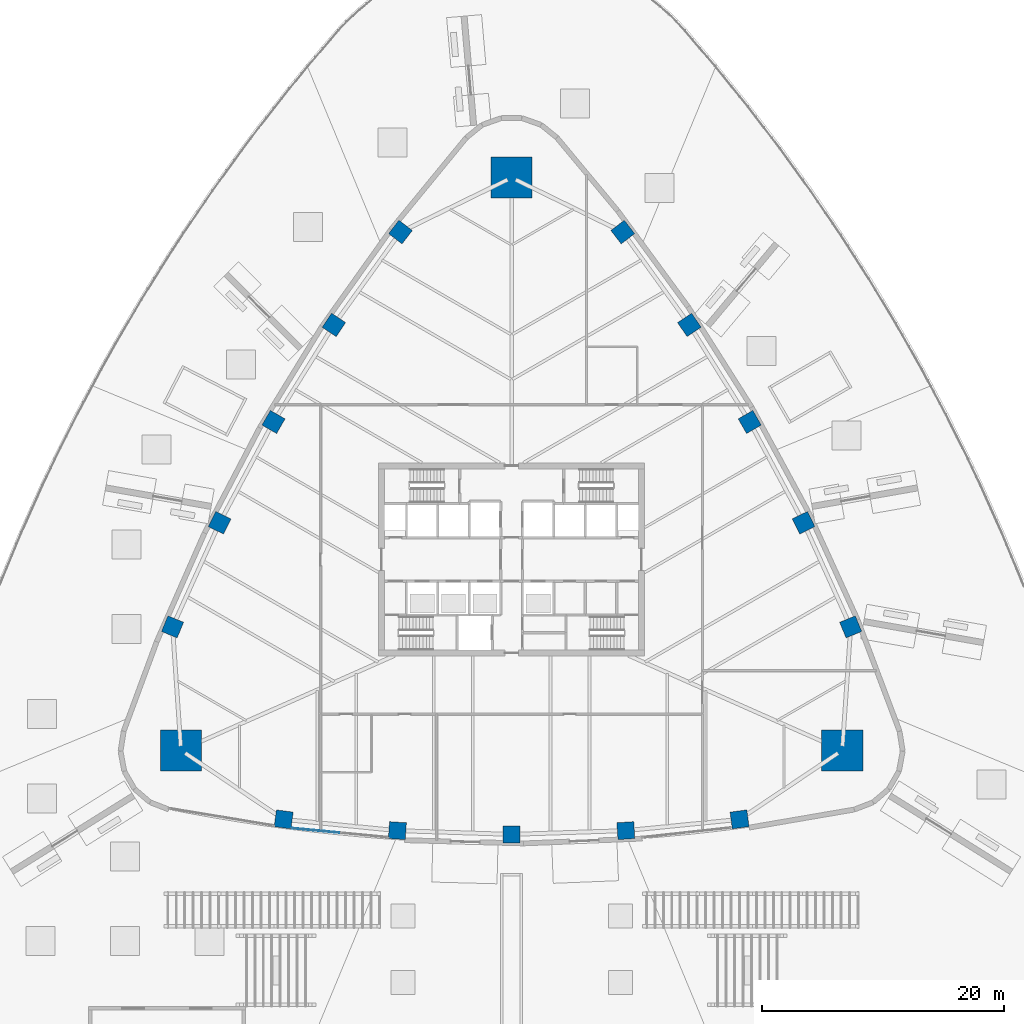
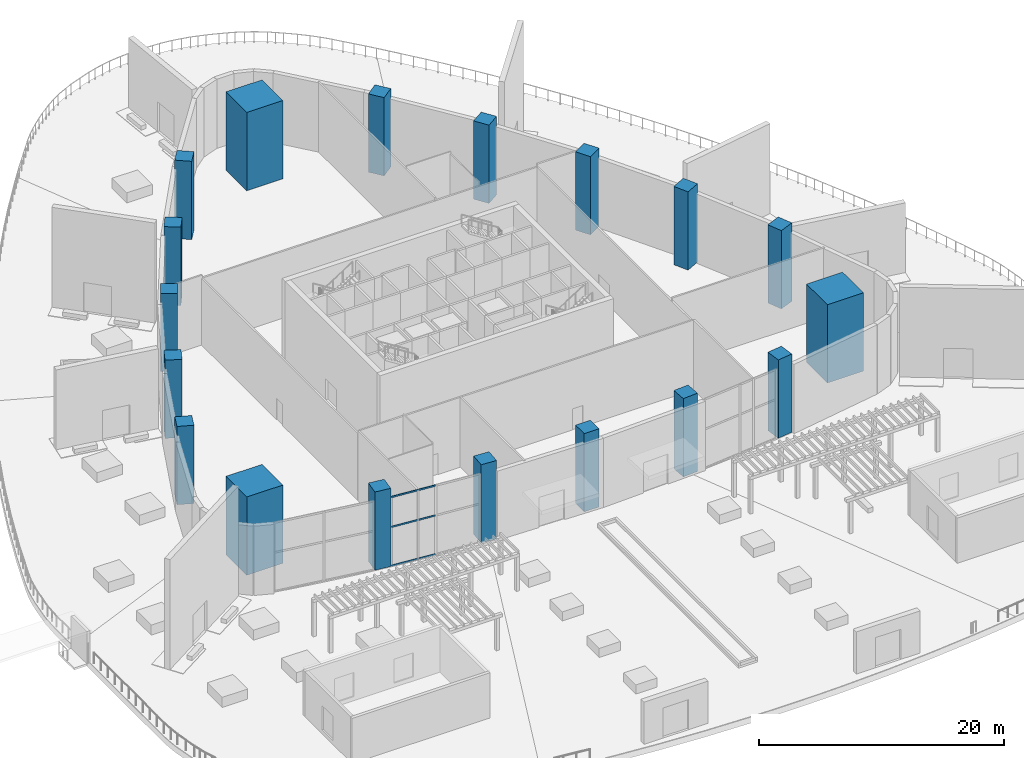
# One storey, part 1 of 20: 18 columns, 3 members, 1 element without a shape of its own.
"""IFC4 building model written with IfcOpenShell, lengths in metres."""

from ifc_helpers import new_model, si_unit, direction, frame, origin, origin_2d, place, context, subcontext, project, spatial, rectangle, extrude, material, layer, layer_set, material_profile, profile_set, type_object, element, aggregate, save


model = new_model("IFC4")

# Units and contexts
model_context = context("Model", 3, precision=1e-05, world=origin(), true_north=direction((0.0, 1.0)))
body_context = subcontext(model_context, "Body", "Model", "MODEL_VIEW")
ifc_project = project(units=[si_unit("LENGTHUNIT", "METRE"), si_unit("AREAUNIT", "SQUARE_METRE"), si_unit("VOLUMEUNIT", "CUBIC_METRE"), si_unit("PLANEANGLEUNIT", "RADIAN"), si_unit("MASSUNIT", "GRAM", prefix="KILO")], contexts=[model_context])

# Site, building, storey
site_placement = place(None, origin())
site = spatial("IfcSite", under=ifc_project, at=site_placement, CompositionType="ELEMENT")
building_placement = place(site_placement, origin())
building = spatial("IfcBuilding", under=site, at=building_placement, Name="Sierra Prisma Convention Tower", CompositionType="ELEMENT")
storey_placement = place(building_placement, frame((0.0, 0.0, 9.0)))
storey = spatial("IfcBuildingStorey", under=building, at=storey_placement, Name="L01", CompositionType="ELEMENT", Elevation=9.0)

# Columns
ifc_material_1 = material(Name="Concrete C70/85", Category="concrete")
ifc_material_profile_1 = material_profile(ifc_material_1, rectangle(XDim=3.39990234375, YDim=3.39990234375, at=origin_2d()), Name="Mega column RC 3400 C70/85")
ifc_profile_set_1 = profile_set([ifc_material_profile_1], Name="Concrete C70/85")
column_type_1 = type_object("IfcColumnType", Name="Mega column RC 3400 C70/85", PredefinedType="COLUMN", material=ifc_profile_set_1)
for number, where, z_axis, x_axis, name in (
    (1, (27.35498046875, -15.79345703125, 0.0), (0.0, 0.0, 1.0), (1.0, 0.0, 0.0), "Mega column SE L01"),
    (2, (0.0, 31.5869140625, 0.0), (0.0, 0.0, 1.0), (1.0, 0.0, 0.0), "Mega column N L01"),
    (3, (-27.35498046875, -15.79345703125, 0.0), (0.0, 0.0, 1.0), (1.0, 0.0, 0.0), "Mega column SW L01"),
):
    element("IfcColumn", number, at=place(storey_placement, frame(where, z_axis=z_axis, x_axis=x_axis)), inside=storey, type_object=column_type_1, Name=name, PredefinedType="COLUMN", context=body_context, shape_type="SweptSolid", body=[
        extrude(rectangle(XDim=3.39990234375, YDim=3.39990234375, at=origin_2d()), origin(), (0.0, 0.0, 1.0), 7.800048828125),
    ])
ifc_material_2 = material(Name="Concrete C70/85", Category="concrete")
ifc_material_profile_2 = material_profile(ifc_material_2, rectangle(XDim=1.39990234375, YDim=1.39990234375, at=origin_2d()), Name="Perimeter column RC 1400 C70/85")
ifc_profile_set_2 = profile_set([ifc_material_profile_2], Name="Concrete C70/85")
column_type_2 = type_object("IfcColumnType", Name="Perimeter column RC 1400 C70/85", PredefinedType="COLUMN", material=ifc_profile_set_2)
for number, where, z_axis, x_axis, name in (
    (4, (-18.85986328125, -21.50830078125, 0.0), (0.0, 0.0, 1.0), (-0.991367231014, 0.131114504428, 0.0), "Perimeter column S-1 L01"),
    (5, (-9.450439453125, -22.439208984375, 0.0), (0.0, 0.0, 1.0), (-0.997839473817, 0.06569919705, 0.0), "Perimeter column S-2 L01"),
    (6, (0.0, -22.75, 0.0), (0.0, 0.0, 1.0), (1.0, 0.0, 0.0), "Perimeter column S-3 L01"),
    (7, (9.450439453125, -22.439208984375, 0.0), (0.0, 0.0, 1.0), (0.997839473817, 0.06569919705, 0.0), "Perimeter column S-4 L01"),
    (8, (18.85986328125, -21.50830078125, 0.0), (0.0, 0.0, 1.0), (0.991367231014, 0.131114504428, 0.0), "Perimeter column S-5 L01"),
    (9, (28.056640625, -5.5791015625, 0.0), (0.0, 0.0, 1.0), (-0.382135123868, 0.924106458752, 0.0), "Perimeter column NE-1 L01"),
    (10, (24.158203125, 3.035400390625, 0.0), (0.0, 0.0, 1.0), (-0.442022563255, 0.897003931749, 0.0), "Perimeter column NE-2 L01"),
    (11, (19.7021484375, 11.375, 0.0), (0.0, 0.0, 1.0), (-0.5, 0.866025403784, 0.0), "Perimeter column NE-3 L01"),
    (12, (14.707763671875, 19.40380859375, 0.0), (0.0, 0.0, 1.0), (-0.555816910562, 0.8313047347, 0.0), "Perimeter column NE-4 L01"),
    (13, (9.19677734375, 27.08740234375, 0.0), (0.0, 0.0, 1.0), (-0.609232107146, 0.792991954324, 0.0), "Perimeter column NE-5 L01"),
    (14, (-9.19677734375, 27.08740234375, 0.0), (0.0, 0.0, 1.0), (0.609232107146, 0.792991954324, 0.0), "Perimeter column NW-1 L01"),
    (15, (-14.707763671875, 19.40380859375, 0.0), (0.0, 0.0, 1.0), (0.555816910562, 0.8313047347, 0.0), "Perimeter column NW-2 L01"),
    (16, (-19.7021484375, 11.375, 0.0), (0.0, 0.0, 1.0), (0.5, 0.866025403784, 0.0), "Perimeter column NW-3 L01"),
    (17, (-24.158203125, 3.035400390625, 0.0), (0.0, 0.0, 1.0), (0.442022563255, 0.897003931749, 0.0), "Perimeter column NW-4 L01"),
    (18, (-28.056640625, -5.5791015625, 0.0), (0.0, 0.0, 1.0), (0.382135123868, 0.924106458752, 0.0), "Perimeter column NW-5 L01"),
):
    element("IfcColumn", number, at=place(storey_placement, frame(where, z_axis=z_axis, x_axis=x_axis)), inside=storey, type_object=column_type_2, Name=name, PredefinedType="COLUMN", context=body_context, shape_type="SweptSolid", body=[
        extrude(rectangle(XDim=1.39990234375, YDim=1.39990234375, at=origin_2d()), origin(), (0.0, 0.0, 1.0), 7.800048828125),
    ])

# Curtain wall, members
ifc_material_3 = material(Name="Aluminium, bronze anodised", Category="aluminium")
ifc_layer = layer(ifc_material_3, 0.199951171875)
ifc_layer_set = layer_set([ifc_layer], Name="CW-3 curtain wall")
curtain_wall_type = type_object("IfcCurtainWallType", Name="CW-3 curtain wall", PredefinedType="NOTDEFINED", material=ifc_layer_set)
curtain_wall_placement = place(storey_placement, origin())
curtain_wall = element("IfcCurtainWall", 19, at=curtain_wall_placement, inside=storey, type_object=curtain_wall_type, Name="CW-3 curtain wall", PredefinedType="NOTDEFINED")
ifc_material_4 = material(Name="Aluminium, bronze anodised", Category="aluminium")
ifc_material_profile_3 = material_profile(ifc_material_4, rectangle(XDim=0.06005859375, YDim=0.159912109375, at=origin_2d()), Name="CW-3 transom 60 x 160")
ifc_profile_set_3 = profile_set([ifc_material_profile_3], Name="Aluminium, bronze anodised")
member_type = type_object("IfcMemberType", Name="CW-3 transom 60 x 160", PredefinedType="USERDEFINED", material=ifc_profile_set_3)
member_1_placement = place(storey_placement, frame((-14.24755859375, -22.61279296875, 0.030029296875), z_axis=(-0.995474259601, 0.09503156566, 0.0), x_axis=(-0.09503156566, -0.995474259601, 0.0)))
member_1 = element("IfcMember", 20, at=member_1_placement, type_object=member_type, Name="CW-3 transom 2.1", ObjectType="TRANSOM", PredefinedType="USERDEFINED", context=body_context, shape_type="SweptSolid", body=[
    extrude(rectangle(XDim=0.06005859375, YDim=0.159912109375, at=origin_2d()), origin(), (0.0, 0.0, 1.0), 3.935791015625),
])
member_2_placement = place(storey_placement, frame((-14.24755859375, -22.61279296875, 3.89990234375), z_axis=(-0.995474259601, 0.09503156566, 0.0), x_axis=(-0.09503156566, -0.995474259601, 0.0)))
member_2 = element("IfcMember", 21, at=member_2_placement, type_object=member_type, Name="CW-3 transom 2.2", ObjectType="TRANSOM", PredefinedType="USERDEFINED", context=body_context, shape_type="SweptSolid", body=[
    extrude(rectangle(XDim=0.06005859375, YDim=0.159912109375, at=origin_2d()), origin(), (0.0, 0.0, 1.0), 3.935791015625),
])
member_3_placement = place(storey_placement, frame((-14.24755859375, -22.61279296875, 6.8701171875), z_axis=(-0.995474259601, 0.09503156566, 0.0), x_axis=(-0.09503156566, -0.995474259601, 0.0)))
member_3 = element("IfcMember", 22, at=member_3_placement, type_object=member_type, Name="CW-3 transom 2.3", ObjectType="TRANSOM", PredefinedType="USERDEFINED", context=body_context, shape_type="SweptSolid", body=[
    extrude(rectangle(XDim=0.06005859375, YDim=0.159912109375, at=origin_2d()), origin(), (0.0, 0.0, 1.0), 3.935791015625),
])
aggregate(curtain_wall, [member_1, member_2, member_3])

save(model, "model.ifc")
